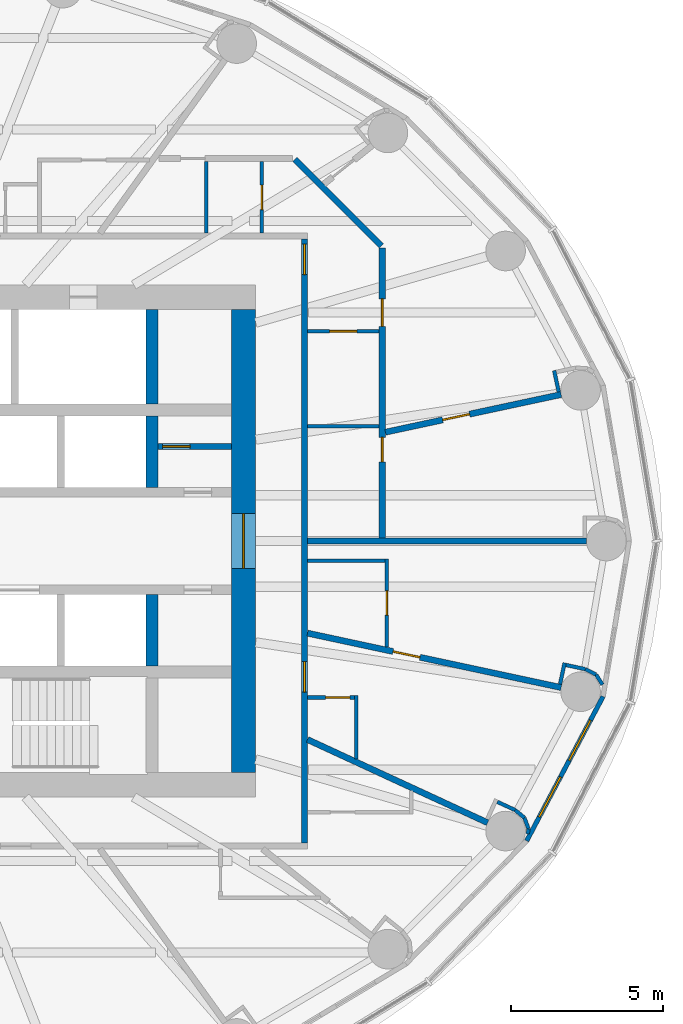
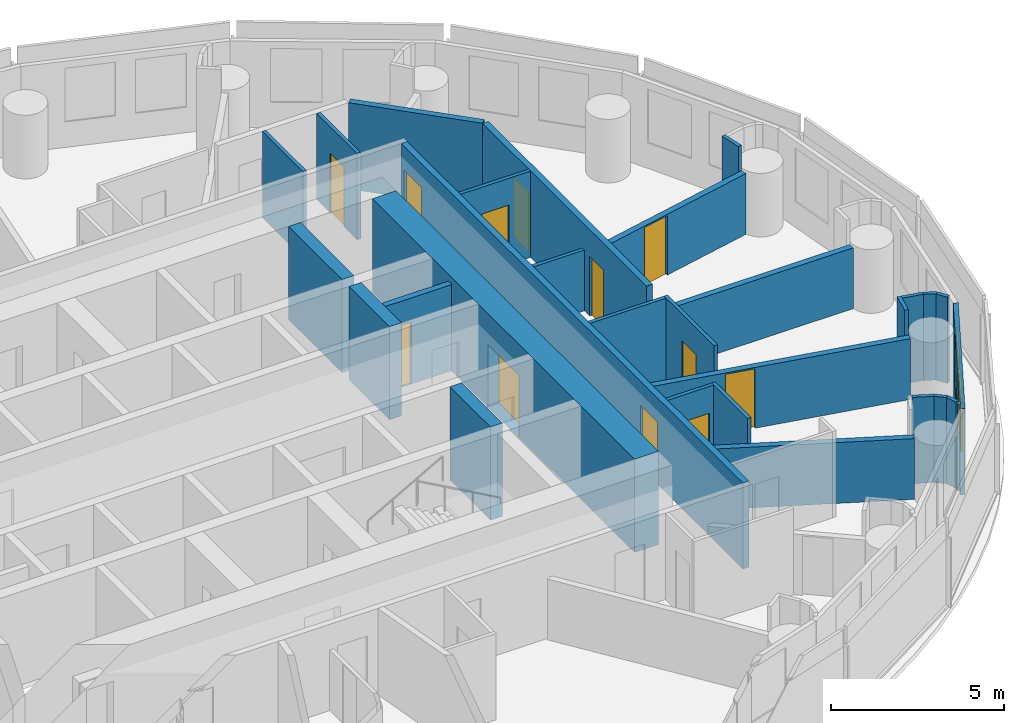
# One storey, part 10 of 14: 30 walls, 12 doors, 2 windows, 14 openings.
"""IFC4 building model written with IfcOpenShell, lengths in metres."""

from ifc_helpers import new_model, si_unit, direction, frame, frame_2d, origin, place, context, subcontext, project, spatial, rectangle, extrude, material, layer, layer_set, type_object, element, fill, save


model = new_model("IFC4")

# Units and contexts
model_context = context("Model", 3, precision=1e-05, world=origin(), true_north=direction((0.0, 1.0)))
body_context = subcontext(model_context, "Body", "Model", "MODEL_VIEW")
ifc_project = project(units=[si_unit("LENGTHUNIT", "METRE"), si_unit("AREAUNIT", "SQUARE_METRE"), si_unit("VOLUMEUNIT", "CUBIC_METRE"), si_unit("PLANEANGLEUNIT", "RADIAN"), si_unit("MASSUNIT", "GRAM", prefix="KILO")], contexts=[model_context])

# Site, building, storey
site_placement = place(None, origin())
site = spatial("IfcSite", under=ifc_project, at=site_placement, CompositionType="ELEMENT")
building_placement = place(site_placement, origin())
building = spatial("IfcBuilding", under=site, at=building_placement, Name="Hankou Lantern Tower", CompositionType="ELEMENT")
storey_placement = place(building_placement, frame((0.0, 0.0, 135.300048828125)))
storey = spatial("IfcBuildingStorey", under=building, at=storey_placement, Name="L35", CompositionType="ELEMENT", Elevation=135.300048828125)

# Wall, opening, door
ifc_material_1 = material(Name="Concrete C60", Category="concrete")
ifc_layer_1 = layer(ifc_material_1, 0.800048828125)
ifc_layer_set_1 = layer_set([ifc_layer_1], Name="Concrete C60")
wall_type_1 = type_object("IfcWallType", Name="CW2 CORE WALL 800", PredefinedType="SHEAR", material=ifc_layer_set_1)
wall_1_placement = place(storey_placement, frame((12.0, -7.60009765625, 0.0), z_axis=(0.0, 0.0, 1.0), x_axis=(0.0, 1.0, 0.0)))
wall_1 = element("IfcWall", 1, at=wall_1_placement, inside=storey, type_object=wall_type_1, Name="Core wall east L35", PredefinedType="SHEAR", context=body_context, shape_type="SweptSolid", body=[
    extrude(rectangle(XDim=15.2001953125, YDim=0.800048828125, at=frame_2d((7.60009765625, 0.0))), origin(), (0.0, 0.0, 1.0), 3.300048828125),
])
opening_1_placement = place(wall_1_placement, frame((6.699951171875, 0.0, 0.0)))
opening_1 = element("IfcOpeningElement", 2, at=opening_1_placement, cuts=wall_1, Name="Opening D6", PredefinedType="OPENING", context=body_context, shape_type="SweptSolid", body=[
    extrude(rectangle(XDim=1.800048828125, YDim=2.199951171875, at=frame_2d((0.89990234375, 1.10009765625))), frame((0.0, 0.409912109375, 0.0), z_axis=(0.0, -1.0, 0.0), x_axis=(1.0, 0.0, 0.0)), (0.0, 0.0, 1.0), 0.820068359375),
])
ifc_material_2 = material(Name="Steel door leaf", Category="steel")
door_type_1 = type_object("IfcDoorType", Name="D6 LIFT LOBBY DOOR 1800X2200", OperationType="DOUBLE_DOOR_DOUBLE_SWING", PredefinedType="DOOR", material=ifc_material_2)
door_1_placement = place(opening_1_placement, origin())
door_1 = element("IfcDoor", 3, at=door_1_placement, inside=storey, type_object=door_type_1, Name="Lift lobby east door", OperationType="DOUBLE_DOOR_DOUBLE_SWING", OverallHeight=2.199951171875, OverallWidth=1.800048828125, PredefinedType="DOOR", context=body_context, shape_type="SweptSolid", body=[
    extrude(rectangle(XDim=1.800048828125, YDim=2.199951171875, at=frame_2d((0.89990234375, 1.10009765625))), frame((0.0, 0.02490234375, 0.0), z_axis=(0.0, -1.0, 0.0), x_axis=(1.0, 0.0, 0.0)), (0.0, 0.0, 1.0), 0.050048828125),
])
fill(opening_1, door_1)

# Walls
ifc_material_3 = material(Name="Concrete C60", Category="concrete")
ifc_layer_2 = layer(ifc_material_3, 0.39990234375)
ifc_layer_set_2 = layer_set([ifc_layer_2], Name="Concrete C60")
wall_type_2 = type_object("IfcWallType", Name="CW4 CORE CROSS WALL 400", PredefinedType="SHEAR", material=ifc_layer_set_2)
wall_2_placement = place(storey_placement, frame((9.0, 4.5, 0.0), z_axis=(0.0, 0.0, 1.0), x_axis=(0.0, 1.0, 0.0)))
element("IfcWall", 4, at=wall_2_placement, inside=storey, type_object=wall_type_2, Name="Core strip wall L35", PredefinedType="SHEAR", context=body_context, shape_type="SweptSolid", body=[
    extrude(rectangle(XDim=3.10009765625, YDim=0.39990234375, at=frame_2d((1.550048828125, 0.0))), origin(), (0.0, 0.0, 1.0), 3.300048828125),
])
for number, where, z_axis, x_axis, name in (
    (5, (9.0, 1.75, 0.0), (0.0, 0.0, 1.0), (0.0, 1.0, 0.0), "Core strip wall L35"),
    (6, (9.0, -4.10009765625, 0.0), (0.0, 0.0, 1.0), (0.0, 1.0, 0.0), "Core strip wall L35"),
):
    element("IfcWall", number, at=place(storey_placement, frame(where, z_axis=z_axis, x_axis=x_axis)), inside=storey, type_object=wall_type_2, Name=name, PredefinedType="SHEAR", context=body_context, shape_type="SweptSolid", body=[
        extrude(rectangle(XDim=2.35009765625, YDim=0.39990234375, at=frame_2d((1.175048828125, 0.0))), origin(), (0.0, 0.0, 1.0), 3.300048828125),
    ])

# Wall, openings, windows
ifc_material_4 = material(Name="Aluminium spandrel panel on steel studs", Category="steel")
ifc_layer_3 = layer(ifc_material_4, 0.14990234375)
ifc_layer_set_3 = layer_set([ifc_layer_3], Name="Aluminium spandrel panel on steel studs")
wall_type_3 = type_object("IfcWallType", Name="EW1 INNER SKIN WALL 150", PredefinedType="ELEMENTEDWALL", material=ifc_layer_set_3)
wall_3_placement = place(storey_placement, frame((21.287353515625, -9.83203125, 0.0), z_axis=(0.0, 0.0, 1.0), x_axis=(0.467814388454, 0.883826735257, 0.0)))
wall_3 = element("IfcWall", 7, at=wall_3_placement, inside=storey, type_object=wall_type_3, Name="Inner skin R23-R24 L35", PredefinedType="ELEMENTEDWALL", context=body_context, shape_type="SweptSolid", body=[
    extrude(rectangle(XDim=5.35400390625, YDim=0.14990234375, at=frame_2d((2.677001953125, 0.0))), origin(), (0.0, 0.0, 1.0), 3.050048828125),
])
opening_2_placement = place(wall_3_placement, frame((0.876953125, 0.0, 0.89990234375)))
opening_2 = element("IfcOpeningElement", 8, at=opening_2_placement, cuts=wall_3, Name="Opening W2", PredefinedType="OPENING", context=body_context, shape_type="SweptSolid", body=[
    extrude(rectangle(XDim=1.5, YDim=1.89990234375, at=frame_2d((0.75, 0.949951171875))), frame((0.0, 0.0849609375, 0.0), z_axis=(0.0, -1.0, 0.0), x_axis=(1.0, 0.0, 0.0)), (0.0, 0.0, 1.0), 0.169921875),
])
opening_3_placement = place(wall_3_placement, frame((2.97705078125, 0.0, 0.89990234375)))
opening_3 = element("IfcOpeningElement", 9, at=opening_3_placement, cuts=wall_3, Name="Opening W2", PredefinedType="OPENING", context=body_context, shape_type="SweptSolid", body=[
    extrude(rectangle(XDim=1.5, YDim=1.89990234375, at=frame_2d((0.75, 0.949951171875))), frame((0.0, 0.0849609375, 0.0), z_axis=(0.0, -1.0, 0.0), x_axis=(1.0, 0.0, 0.0)), (0.0, 0.0, 1.0), 0.169921875),
])
ifc_material_5 = material(Name="Aluminium framed double glazed window", Category="aluminium")
window_type = type_object("IfcWindowType", Name="W2 GUEST ROOM WINDOW 1500X1900", PartitioningType="DOUBLE_PANEL_VERTICAL", PredefinedType="WINDOW", material=ifc_material_5)
window_1_placement = place(opening_2_placement, origin())
window_1 = element("IfcWindow", 10, at=window_1_placement, inside=storey, type_object=window_type, Name="Window R23.1 L35", OverallHeight=1.89990234375, OverallWidth=1.5, PartitioningType="SINGLE_PANEL", PredefinedType="WINDOW", context=body_context, shape_type="SweptSolid", body=[
    extrude(rectangle(XDim=1.5, YDim=1.89990234375, at=frame_2d((0.75, 0.949951171875))), frame((0.0, 0.030029296875, 0.0), z_axis=(0.0, -1.0, 0.0), x_axis=(1.0, 0.0, 0.0)), (0.0, 0.0, 1.0), 0.06005859375),
])
fill(opening_2, window_1)
window_2_placement = place(opening_3_placement, origin())
window_2 = element("IfcWindow", 11, at=window_2_placement, inside=storey, type_object=window_type, Name="Window R23.2 L35", OverallHeight=1.89990234375, OverallWidth=1.5, PartitioningType="SINGLE_PANEL", PredefinedType="WINDOW", context=body_context, shape_type="SweptSolid", body=[
    extrude(rectangle(XDim=1.5, YDim=1.89990234375, at=frame_2d((0.75, 0.949951171875))), frame((0.0, 0.030029296875, 0.0), z_axis=(0.0, -1.0, 0.0), x_axis=(1.0, 0.0, 0.0)), (0.0, 0.0, 1.0), 0.06005859375),
])
fill(opening_3, window_2)

# Walls
ifc_material_6 = material(Name="Masonry lightweight concrete block", Category="masonry")
ifc_layer_4 = layer(ifc_material_6, 0.199951171875)
ifc_layer_set_4 = layer_set([ifc_layer_4], Name="Masonry lightweight concrete block")
wall_type_4 = type_object("IfcWallType", Name="IW1 GUEST ROOM PARTY WALL 200", PredefinedType="PARTITIONING", material=ifc_layer_set_4)
wall_4_placement = place(storey_placement, frame((14.10009765625, 0.0, 0.0), z_axis=(0.0, 0.0, 1.0), x_axis=(1.0, 0.0, 0.0)))
element("IfcWall", 12, at=wall_4_placement, inside=storey, type_object=wall_type_4, Name="Party wall R01", PredefinedType="PARTITIONING", context=body_context, shape_type="SweptSolid", body=[
    extrude(rectangle(XDim=9.14990234375, YDim=0.199951171875, at=frame_2d((4.574951171875, 0.0))), origin(), (0.0, 0.0, 1.0), 2.14990234375),
])
wall_5_placement = place(storey_placement, frame((14.10009765625, -6.512451171875, 0.0), z_axis=(0.0, 0.0, 1.0), x_axis=(0.907833019998, -0.419331858797, 0.0)))
element("IfcWall", 13, at=wall_5_placement, inside=storey, type_object=wall_type_4, Name="Party wall R23", PredefinedType="PARTITIONING", context=body_context, shape_type="SweptSolid", body=[
    extrude(rectangle(XDim=6.505126953125, YDim=0.199951171875, at=frame_2d((3.25244140625, 0.0))), origin(), (0.0, 0.0, 1.0), 2.14990234375),
])

# Wall, openings, doors
ifc_material_7 = material(Name="Masonry lightweight concrete block", Category="masonry")
ifc_layer_5 = layer(ifc_material_7, 0.199951171875)
ifc_layer_set_5 = layer_set([ifc_layer_5], Name="Masonry lightweight concrete block")
wall_type_5 = type_object("IfcWallType", Name="IW2 CORRIDOR WALL 200", PredefinedType="PARTITIONING", material=ifc_layer_set_5)
wall_6_placement = place(storey_placement, frame((14.0, -9.89990234375, 0.0), z_axis=(0.0, 0.0, 1.0), x_axis=(0.0, 1.0, 0.0)))
wall_6 = element("IfcWall", 14, at=wall_6_placement, inside=storey, type_object=wall_type_5, Name="Corridor wall east", PredefinedType="PARTITIONING", context=body_context, shape_type="SweptSolid", body=[
    extrude(rectangle(XDim=19.7998046875, YDim=0.199951171875, at=frame_2d((9.89990234375, 0.0))), origin(), (0.0, 0.0, 1.0), 3.050048828125),
])
opening_4_placement = place(wall_6_placement, frame((4.947509765625, 0.0, 0.0)))
opening_4 = element("IfcOpeningElement", 15, at=opening_4_placement, cuts=wall_6, Name="Opening D2", PredefinedType="OPENING", context=body_context, shape_type="SweptSolid", body=[
    extrude(rectangle(XDim=1.0, YDim=2.199951171875, at=frame_2d((0.5, 1.10009765625))), frame((0.0, 0.10986328125, 0.0), z_axis=(0.0, -1.0, 0.0), x_axis=(1.0, 0.0, 0.0)), (0.0, 0.0, 1.0), 0.219970703125),
])
opening_5_placement = place(wall_6_placement, frame((18.64111328125, 0.0, 0.0)))
opening_5 = element("IfcOpeningElement", 16, at=opening_5_placement, cuts=wall_6, Name="Opening D2", PredefinedType="OPENING", context=body_context, shape_type="SweptSolid", body=[
    extrude(rectangle(XDim=1.0, YDim=2.199951171875, at=frame_2d((0.5, 1.10009765625))), frame((0.0, 0.10986328125, 0.0), z_axis=(0.0, -1.0, 0.0), x_axis=(1.0, 0.0, 0.0)), (0.0, 0.0, 1.0), 0.219970703125),
])
ifc_material_8 = material(Name="Steel door leaf", Category="steel")
door_type_2 = type_object("IfcDoorType", Name="D2 SUITE DOOR 1000X2200", OperationType="SINGLE_SWING_LEFT", PredefinedType="DOOR", material=ifc_material_8)
door_2_placement = place(opening_4_placement, origin())
door_2 = element("IfcDoor", 17, at=door_2_placement, inside=storey, type_object=door_type_2, Name="Suite door 3511C", OperationType="SINGLE_SWING_LEFT", OverallHeight=2.199951171875, OverallWidth=1.0, PredefinedType="DOOR", context=body_context, shape_type="SweptSolid", body=[
    extrude(rectangle(XDim=1.0, YDim=2.199951171875, at=frame_2d((0.5, 1.10009765625))), frame((0.0, 0.02490234375, 0.0), z_axis=(0.0, -1.0, 0.0), x_axis=(1.0, 0.0, 0.0)), (0.0, 0.0, 1.0), 0.050048828125),
])
fill(opening_4, door_2)
door_3_placement = place(opening_5_placement, origin())
door_3 = element("IfcDoor", 18, at=door_3_placement, inside=storey, type_object=door_type_2, Name="Suite door 3512", OperationType="SINGLE_SWING_RIGHT", OverallHeight=2.199951171875, OverallWidth=1.0, PredefinedType="DOOR", context=body_context, shape_type="SweptSolid", body=[
    extrude(rectangle(XDim=1.0, YDim=2.199951171875, at=frame_2d((0.5, 1.10009765625))), frame((0.0, 0.02490234375, 0.0), z_axis=(0.0, -1.0, 0.0), x_axis=(1.0, 0.0, 0.0)), (0.0, 0.0, 1.0), 0.050048828125),
])
fill(opening_5, door_3)

# Wall
ifc_material_9 = material(Name="Masonry lightweight concrete block", Category="masonry")
ifc_layer_6 = layer(ifc_material_9, 0.1201171875)
ifc_layer_set_6 = layer_set([ifc_layer_6], Name="Masonry lightweight concrete block")
wall_type_6 = type_object("IfcWallType", Name="IW3 BATHROOM WALL 120", PredefinedType="PARTITIONING", material=ifc_layer_set_6)
wall_7_placement = place(storey_placement, frame((15.699951171875, -7.151611328125, 0.0), z_axis=(0.0, 0.0, 1.0), x_axis=(0.0, 1.0, 0.0)))
element("IfcWall", 19, at=wall_7_placement, inside=storey, type_object=wall_type_6, Name="Box wall 3511C 1", PredefinedType="PARTITIONING", context=body_context, shape_type="SweptSolid", body=[
    extrude(rectangle(XDim=2.0791015625, YDim=0.1201171875, at=frame_2d((1.03955078125, 0.0))), origin(), (0.0, 0.0, 1.0), 3.050048828125),
])

# Wall, opening, door
wall_8_placement = place(storey_placement, frame((14.10009765625, -5.132568359375, 0.0), z_axis=(0.0, 0.0, 1.0), x_axis=(1.0, 0.0, 0.0)))
wall_8 = element("IfcWall", 20, at=wall_8_placement, inside=storey, type_object=wall_type_6, Name="Box wall 3511C 1", PredefinedType="PARTITIONING", context=body_context, shape_type="SweptSolid", body=[
    extrude(rectangle(XDim=1.539794921875, YDim=0.1201171875, at=frame_2d((0.77001953125, 0.0))), origin(), (0.0, 0.0, 1.0), 3.050048828125),
])
opening_6_placement = place(wall_8_placement, frame((0.590087890625, 0.0, 0.0)))
opening_6 = element("IfcOpeningElement", 21, at=opening_6_placement, cuts=wall_8, Name="Opening D3", PredefinedType="OPENING", context=body_context, shape_type="SweptSolid", body=[
    extrude(rectangle(XDim=0.800048828125, YDim=2.10009765625, at=frame_2d((0.39990234375, 1.050048828125))), frame((0.0, 0.070068359375, 0.0), z_axis=(0.0, -1.0, 0.0), x_axis=(1.0, 0.0, 0.0)), (0.0, 0.0, 1.0), 0.14013671875),
])
ifc_material_10 = material(Name="Timber door leaf", Category="wood")
door_type_3 = type_object("IfcDoorType", Name="D3 BATHROOM DOOR 800X2100", OperationType="SINGLE_SWING_LEFT", PredefinedType="DOOR", material=ifc_material_10)
door_4_placement = place(opening_6_placement, origin())
door_4 = element("IfcDoor", 22, at=door_4_placement, inside=storey, type_object=door_type_3, Name="Suite 3511 guest WC door", OperationType="SINGLE_SWING_LEFT", OverallHeight=2.10009765625, OverallWidth=0.800048828125, PredefinedType="DOOR", context=body_context, shape_type="SweptSolid", body=[
    extrude(rectangle(XDim=0.800048828125, YDim=2.10009765625, at=frame_2d((0.39990234375, 1.050048828125))), frame((0.0, 0.02490234375, 0.0), z_axis=(0.0, -1.0, 0.0), x_axis=(1.0, 0.0, 0.0)), (0.0, 0.0, 1.0), 0.050048828125),
])
fill(opening_6, door_4)

wall_9_placement = place(storey_placement, frame((16.699951171875, -3.479736328125, 0.0), z_axis=(0.0, 0.0, 1.0), x_axis=(0.0, 1.0, 0.0)))
wall_9 = element("IfcWall", 23, at=wall_9_placement, inside=storey, type_object=wall_type_6, Name="Box wall 3511A 1", PredefinedType="PARTITIONING", context=body_context, shape_type="SweptSolid", body=[
    extrude(rectangle(XDim=2.897216796875, YDim=0.1201171875, at=frame_2d((1.44873046875, 0.0))), origin(), (0.0, 0.0, 1.0), 3.050048828125),
])
opening_7_placement = place(wall_9_placement, frame((1.048583984375, 0.0, 0.0)))
opening_7 = element("IfcOpeningElement", 24, at=opening_7_placement, cuts=wall_9, Name="Opening D3", PredefinedType="OPENING", context=body_context, shape_type="SweptSolid", body=[
    extrude(rectangle(XDim=0.800048828125, YDim=2.10009765625, at=frame_2d((0.39990234375, 1.050048828125))), frame((0.0, 0.070068359375, 0.0), z_axis=(0.0, -1.0, 0.0), x_axis=(1.0, 0.0, 0.0)), (0.0, 0.0, 1.0), 0.14013671875),
])
door_5_placement = place(opening_7_placement, origin())
door_5 = element("IfcDoor", 25, at=door_5_placement, inside=storey, type_object=door_type_3, Name="Suite 3511 bathroom door", OperationType="SINGLE_SWING_LEFT", OverallHeight=2.10009765625, OverallWidth=0.800048828125, PredefinedType="DOOR", context=body_context, shape_type="SweptSolid", body=[
    extrude(rectangle(XDim=0.800048828125, YDim=2.10009765625, at=frame_2d((0.39990234375, 1.050048828125))), frame((0.0, 0.02490234375, 0.0), z_axis=(0.0, -1.0, 0.0), x_axis=(1.0, 0.0, 0.0)), (0.0, 0.0, 1.0), 0.050048828125),
])
fill(opening_7, door_5)

# Walls
wall_10_placement = place(storey_placement, frame((14.10009765625, -0.642578125, 0.0), z_axis=(0.0, 0.0, 1.0), x_axis=(1.0, 0.0, 0.0)))
element("IfcWall", 26, at=wall_10_placement, inside=storey, type_object=wall_type_6, Name="Box wall 3511A 1", PredefinedType="PARTITIONING", context=body_context, shape_type="SweptSolid", body=[
    extrude(rectangle(XDim=2.539794921875, YDim=0.1201171875, at=frame_2d((1.27001953125, 0.0))), origin(), (0.0, 0.0, 1.0), 3.050048828125),
])
wall_11_placement = place(storey_placement, frame((14.10009765625, 3.760986328125, 0.0), z_axis=(0.0, 0.0, 1.0), x_axis=(1.0, 0.0, 0.0)))
element("IfcWall", 27, at=wall_11_placement, inside=storey, type_object=wall_type_6, Name="Box wall 3512 1", PredefinedType="PARTITIONING", context=body_context, shape_type="SweptSolid", body=[
    extrude(rectangle(XDim=2.349853515625, YDim=0.1201171875, at=frame_2d((1.1748046875, 0.0))), origin(), (0.0, 0.0, 1.0), 2.14990234375),
])

# Wall, opening, door
wall_12_placement = place(storey_placement, frame((14.10009765625, 6.881103515625, 0.0), z_axis=(0.0, 0.0, 1.0), x_axis=(1.0, 0.0, 0.0)))
wall_12 = element("IfcWall", 28, at=wall_12_placement, inside=storey, type_object=wall_type_6, Name="Box wall 3512 2", PredefinedType="PARTITIONING", context=body_context, shape_type="SweptSolid", body=[
    extrude(rectangle(XDim=2.349853515625, YDim=0.1201171875, at=frame_2d((1.1748046875, 0.0))), origin(), (0.0, 0.0, 1.0), 3.050048828125),
])
opening_8_placement = place(wall_12_placement, frame((0.719970703125, 0.0, 0.0)))
opening_8 = element("IfcOpeningElement", 29, at=opening_8_placement, cuts=wall_12, Name="Opening D27", PredefinedType="OPENING", context=body_context, shape_type="SweptSolid", body=[
    extrude(rectangle(XDim=0.89990234375, YDim=2.10009765625, at=frame_2d((0.449951171875, 1.050048828125))), frame((0.0, 0.070068359375, 0.0), z_axis=(0.0, -1.0, 0.0), x_axis=(1.0, 0.0, 0.0)), (0.0, 0.0, 1.0), 0.14013671875),
])
ifc_material_11 = material(Name="Timber door leaf", Category="wood")
door_type_4 = type_object("IfcDoorType", Name="D27 INTERNAL DOOR 900X2100", OperationType="SINGLE_SWING_LEFT", PredefinedType="DOOR", material=ifc_material_11)
door_6_placement = place(opening_8_placement, origin())
door_6 = element("IfcDoor", 30, at=door_6_placement, inside=storey, type_object=door_type_4, Name="Family suite 3512 walk-in wardrobe door", OperationType="SINGLE_SWING_LEFT", OverallHeight=2.10009765625, OverallWidth=0.89990234375, PredefinedType="DOOR", context=body_context, shape_type="SweptSolid", body=[
    extrude(rectangle(XDim=0.89990234375, YDim=2.10009765625, at=frame_2d((0.449951171875, 1.050048828125))), frame((0.0, 0.02490234375, 0.0), z_axis=(0.0, -1.0, 0.0), x_axis=(1.0, 0.0, 0.0)), (0.0, 0.0, 1.0), 0.050048828125),
])
fill(opening_8, door_6)

wall_13_placement = place(storey_placement, frame((12.59912109375, 10.10009765625, 0.0), z_axis=(0.0, 0.0, 1.0), x_axis=(0.0, 1.0, 0.0)))
wall_13 = element("IfcWall", 31, at=wall_13_placement, inside=storey, type_object=wall_type_6, Name="Box wall 3512 3", PredefinedType="PARTITIONING", context=body_context, shape_type="SweptSolid", body=[
    extrude(rectangle(XDim=2.349853515625, YDim=0.1201171875, at=frame_2d((1.1748046875, 0.0))), origin(), (0.0, 0.0, 1.0), 3.050048828125),
])
opening_9_placement = place(wall_13_placement, frame((0.77001953125, 0.0, 0.0)))
opening_9 = element("IfcOpeningElement", 32, at=opening_9_placement, cuts=wall_13, Name="Opening D3", PredefinedType="OPENING", context=body_context, shape_type="SweptSolid", body=[
    extrude(rectangle(XDim=0.800048828125, YDim=2.10009765625, at=frame_2d((0.39990234375, 1.050048828125))), frame((0.0, 0.070068359375, 0.0), z_axis=(0.0, -1.0, 0.0), x_axis=(1.0, 0.0, 0.0)), (0.0, 0.0, 1.0), 0.14013671875),
])
door_7_placement = place(opening_9_placement, origin())
door_7 = element("IfcDoor", 33, at=door_7_placement, inside=storey, type_object=door_type_3, Name="Family suite 3512 guest WC door", OperationType="SINGLE_SWING_LEFT", OverallHeight=2.10009765625, OverallWidth=0.800048828125, PredefinedType="DOOR", context=body_context, shape_type="SweptSolid", body=[
    extrude(rectangle(XDim=0.800048828125, YDim=2.10009765625, at=frame_2d((0.39990234375, 1.050048828125))), frame((0.0, 0.02490234375, 0.0), z_axis=(0.0, -1.0, 0.0), x_axis=(1.0, 0.0, 0.0)), (0.0, 0.0, 1.0), 0.050048828125),
])
fill(opening_9, door_7)

# Walls
wall_14_placement = place(storey_placement, frame((10.780517578125, 10.10009765625, 0.0), z_axis=(0.0, 0.0, 1.0), x_axis=(0.0, 1.0, 0.0)))
element("IfcWall", 34, at=wall_14_placement, inside=storey, type_object=wall_type_6, Name="Box wall 3512 4", PredefinedType="PARTITIONING", context=body_context, shape_type="SweptSolid", body=[
    extrude(rectangle(XDim=2.349853515625, YDim=0.1201171875, at=frame_2d((1.1748046875, 0.0))), origin(), (0.0, 0.0, 1.0), 3.050048828125),
])
ifc_material_12 = material(Name="Masonry lightweight concrete block", Category="masonry")
ifc_layer_7 = layer(ifc_material_12, 0.1201171875)
ifc_layer_set_7 = layer_set([ifc_layer_7], Name="Masonry lightweight concrete block")
wall_type_7 = type_object("IfcWallType", Name="IW4 PARTITION 120", PredefinedType="PARTITIONING", material=ifc_layer_set_7)
wall_15_placement = place(storey_placement, frame((22.339599609375, 4.89111328125, 0.0), z_axis=(0.0, 0.0, 1.0), x_axis=(-0.20948248875, 0.977812398626, 0.0)))
element("IfcWall", 35, at=wall_15_placement, inside=storey, type_object=wall_type_7, Name="Column casing R02 return", PredefinedType="PARTITIONING", context=body_context, shape_type="SweptSolid", body=[
    extrude(rectangle(XDim=0.715576171875, YDim=0.1201171875, at=frame_2d((0.35791015625, 0.0))), origin(), (0.0, 0.0, 1.0), 3.050048828125),
])
wall_16_placement = place(storey_placement, frame((20.322509765625, -8.553955078125, 0.0), z_axis=(0.0, 0.0, 1.0), x_axis=(0.907750418698, -0.419510640333, 0.0)))
element("IfcWall", 36, at=wall_16_placement, inside=storey, type_object=wall_type_7, Name="Column casing R23", PredefinedType="PARTITIONING", context=body_context, shape_type="SweptSolid", body=[
    extrude(rectangle(XDim=0.650146484375, YDim=0.1201171875, at=frame_2d((0.3251953125, 0.0))), origin(), (0.0, 0.0, 1.0), 3.050048828125),
])
wall_17_placement = place(storey_placement, frame((20.91259765625, -8.82666015625, 0.0), z_axis=(0.0, 0.0, 1.0), x_axis=(0.76847706684, -0.639877330229, 0.0)))
element("IfcWall", 37, at=wall_17_placement, inside=storey, type_object=wall_type_7, Name="Column casing R23", PredefinedType="PARTITIONING", context=body_context, shape_type="SweptSolid", body=[
    extrude(rectangle(XDim=0.39111328125, YDim=0.1201171875, at=frame_2d((0.195556640625, 0.0))), origin(), (0.0, 0.0, 1.0), 3.050048828125),
])
wall_18_placement = place(storey_placement, frame((21.213134765625, -9.076904296875, 0.0), z_axis=(0.0, 0.0, 1.0), x_axis=(0.345647532133, -0.938364419365, 0.0)))
element("IfcWall", 38, at=wall_18_placement, inside=storey, type_object=wall_type_7, Name="Column casing R23", PredefinedType="PARTITIONING", context=body_context, shape_type="SweptSolid", body=[
    extrude(rectangle(XDim=0.391357421875, YDim=0.1201171875, at=frame_2d((0.19580078125, 0.0))), origin(), (0.0, 0.0, 1.0), 3.050048828125),
])
wall_19_placement = place(storey_placement, frame((21.348388671875, -9.444091796875, 0.0), z_axis=(0.0, 0.0, 1.0), x_axis=(-0.170349493321, -0.985383707053, 0.0)))
element("IfcWall", 39, at=wall_19_placement, inside=storey, type_object=wall_type_7, Name="Column casing R23", PredefinedType="PARTITIONING", context=body_context, shape_type="SweptSolid", body=[
    extrude(rectangle(XDim=0.166259765625, YDim=0.1201171875, at=frame_2d((0.0830078125, 0.0))), origin(), (0.0, 0.0, 1.0), 3.050048828125),
])
wall_20_placement = place(storey_placement, frame((22.381591796875, -4.6953125, 0.0), z_axis=(0.0, 0.0, 1.0), x_axis=(0.209808658628, 0.977742464438, 0.0)))
element("IfcWall", 40, at=wall_20_placement, inside=storey, type_object=wall_type_7, Name="Column casing R24 return", PredefinedType="PARTITIONING", context=body_context, shape_type="SweptSolid", body=[
    extrude(rectangle(XDim=0.715576171875, YDim=0.1201171875, at=frame_2d((0.35791015625, 0.0))), origin(), (0.0, 0.0, 1.0), 3.050048828125),
])
wall_21_placement = place(storey_placement, frame((22.57763671875, -4.06689453125, 0.0), z_axis=(0.0, 0.0, 1.0), x_axis=(0.977802414077, -0.209529088731, 0.0)))
element("IfcWall", 41, at=wall_21_placement, inside=storey, type_object=wall_type_7, Name="Column casing R24", PredefinedType="PARTITIONING", context=body_context, shape_type="SweptSolid", body=[
    extrude(rectangle(XDim=0.650146484375, YDim=0.1201171875, at=frame_2d((0.3251953125, 0.0))), origin(), (0.0, 0.0, 1.0), 3.050048828125),
])
for number, where, z_axis, x_axis, name in (
    (42, (23.21337890625, -4.203125, 0.0), (0.0, 0.0, 1.0), (0.890142184171, -0.455682885305, 0.0), "Column casing R24"),
    (43, (23.5615234375, -4.38134765625, 0.0), (0.0, 0.0, 1.0), (0.543121848217, -0.839653891784, 0.0), "Column casing R24"),
):
    element("IfcWall", number, at=place(storey_placement, frame(where, z_axis=z_axis, x_axis=x_axis)), inside=storey, type_object=wall_type_7, Name=name, PredefinedType="PARTITIONING", context=body_context, shape_type="SweptSolid", body=[
        extrude(rectangle(XDim=0.39111328125, YDim=0.1201171875, at=frame_2d((0.195556640625, 0.0))), origin(), (0.0, 0.0, 1.0), 3.050048828125),
    ])

# Wall, opening, door
ifc_material_13 = material(Name="Masonry lightweight concrete block", Category="masonry")
ifc_layer_8 = layer(ifc_material_13, 0.199951171875)
ifc_layer_set_8 = layer_set([ifc_layer_8], Name="Masonry lightweight concrete block")
wall_type_8 = type_object("IfcWallType", Name="IW6 SUITE PARTITION 200", PredefinedType="PARTITIONING", material=ifc_layer_set_8)
wall_22_placement = place(storey_placement, frame((14.10009765625, -3.0224609375, 0.0), z_axis=(0.0, 0.0, 1.0), x_axis=(0.977783513367, -0.209617272638, 0.0)))
wall_22 = element("IfcWall", 44, at=wall_22_placement, inside=storey, type_object=wall_type_8, Name="Suite partition R24", PredefinedType="PARTITIONING", context=body_context, shape_type="SweptSolid", body=[
    extrude(rectangle(XDim=8.508056640625, YDim=0.199951171875, at=frame_2d((4.25390625, 0.0))), origin(), (0.0, 0.0, 1.0), 2.14990234375),
])
opening_10_placement = place(wall_22_placement, frame((2.8701171875, 0.0, 0.0)))
opening_10 = element("IfcOpeningElement", 45, at=opening_10_placement, cuts=wall_22, Name="Opening D27", PredefinedType="OPENING", context=body_context, shape_type="SweptSolid", body=[
    extrude(rectangle(XDim=0.89990234375, YDim=2.10009765625, at=frame_2d((0.449951171875, 1.050048828125))), frame((0.0, 0.10986328125, 0.0), z_axis=(0.0, -1.0, 0.0), x_axis=(1.0, 0.0, 0.0)), (0.0, 0.0, 1.0), 0.219970703125),
])
door_8_placement = place(opening_10_placement, origin())
door_8 = element("IfcDoor", 46, at=door_8_placement, inside=storey, type_object=door_type_4, Name="Suite 3511 bedroom door", OperationType="SINGLE_SWING_LEFT", OverallHeight=2.10009765625, OverallWidth=0.89990234375, PredefinedType="DOOR", context=body_context, shape_type="SweptSolid", body=[
    extrude(rectangle(XDim=0.89990234375, YDim=2.10009765625, at=frame_2d((0.449951171875, 1.050048828125))), frame((0.0, 0.02490234375, 0.0), z_axis=(0.0, -1.0, 0.0), x_axis=(1.0, 0.0, 0.0)), (0.0, 0.0, 1.0), 0.050048828125),
])
fill(opening_10, door_8)

# Wall, openings, doors
wall_23_placement = place(storey_placement, frame((16.550048828125, 0.10107421875, 0.0), z_axis=(0.0, 0.0, 1.0), x_axis=(0.0, 1.0, 0.0)))
wall_23 = element("IfcWall", 47, at=wall_23_placement, inside=storey, type_object=wall_type_8, Name="Suite foyer wall 3512", PredefinedType="PARTITIONING", context=body_context, shape_type="SweptSolid", body=[
    extrude(rectangle(XDim=9.507568359375, YDim=0.199951171875, at=frame_2d((4.75390625, 0.0))), origin(), (0.0, 0.0, 1.0), 3.050048828125),
])
opening_11_placement = place(wall_23_placement, frame((2.49853515625, 0.0, 0.0)))
opening_11 = element("IfcOpeningElement", 48, at=opening_11_placement, cuts=wall_23, Name="Opening D3", PredefinedType="OPENING", context=body_context, shape_type="SweptSolid", body=[
    extrude(rectangle(XDim=0.800048828125, YDim=2.10009765625, at=frame_2d((0.39990234375, 1.050048828125))), frame((0.0, 0.10986328125, 0.0), z_axis=(0.0, -1.0, 0.0), x_axis=(1.0, 0.0, 0.0)), (0.0, 0.0, 1.0), 0.219970703125),
])
opening_12_placement = place(wall_23_placement, frame((6.93994140625, 0.0, 0.0)))
opening_12 = element("IfcOpeningElement", 49, at=opening_12_placement, cuts=wall_23, Name="Opening D27", PredefinedType="OPENING", context=body_context, shape_type="SweptSolid", body=[
    extrude(rectangle(XDim=0.89990234375, YDim=2.10009765625, at=frame_2d((0.449951171875, 1.050048828125))), frame((0.0, 0.10986328125, 0.0), z_axis=(0.0, -1.0, 0.0), x_axis=(1.0, 0.0, 0.0)), (0.0, 0.0, 1.0), 0.219970703125),
])
door_9_placement = place(opening_12_placement, origin())
door_9 = element("IfcDoor", 50, at=door_9_placement, inside=storey, type_object=door_type_4, Name="Family suite 3512 living room door", OperationType="SINGLE_SWING_LEFT", OverallHeight=2.10009765625, OverallWidth=0.89990234375, PredefinedType="DOOR", context=body_context, shape_type="SweptSolid", body=[
    extrude(rectangle(XDim=0.89990234375, YDim=2.10009765625, at=frame_2d((0.449951171875, 1.050048828125))), frame((0.0, 0.02490234375, 0.0), z_axis=(0.0, -1.0, 0.0), x_axis=(1.0, 0.0, 0.0)), (0.0, 0.0, 1.0), 0.050048828125),
])
fill(opening_12, door_9)
door_10_placement = place(opening_11_placement, origin())
door_10 = element("IfcDoor", 51, at=door_10_placement, inside=storey, type_object=door_type_3, Name="Family suite 3512 bathroom door", OperationType="SINGLE_SWING_RIGHT", OverallHeight=2.10009765625, OverallWidth=0.800048828125, PredefinedType="DOOR", context=body_context, shape_type="SweptSolid", body=[
    extrude(rectangle(XDim=0.800048828125, YDim=2.10009765625, at=frame_2d((0.39990234375, 1.050048828125))), frame((0.0, 0.02490234375, 0.0), z_axis=(0.0, -1.0, 0.0), x_axis=(1.0, 0.0, 0.0)), (0.0, 0.0, 1.0), 0.050048828125),
])
fill(opening_11, door_10)

# Wall
wall_24_placement = place(storey_placement, frame((16.520751953125, 9.67919921875, 0.0), z_axis=(0.0, 0.0, 1.0), x_axis=(-0.707106781187, 0.707106781187, 0.0)))
element("IfcWall", 52, at=wall_24_placement, inside=storey, type_object=wall_type_8, Name="Suite foyer wall 3512", PredefinedType="PARTITIONING", context=body_context, shape_type="SweptSolid", body=[
    extrude(rectangle(XDim=4.0185546875, YDim=0.199951171875, at=frame_2d((2.00927734375, 0.0))), origin(), (0.0, 0.0, 1.0), 3.050048828125),
])

# Wall, opening, door
wall_25_placement = place(storey_placement, frame((16.65478515625, 3.570068359375, 0.0), z_axis=(0.0, 0.0, 1.0), x_axis=(0.977781197989, 0.209628072687, 0.0)))
wall_25 = element("IfcWall", 53, at=wall_25_placement, inside=storey, type_object=wall_type_8, Name="Suite partition R02", PredefinedType="PARTITIONING", context=body_context, shape_type="SweptSolid", body=[
    extrude(rectangle(XDim=5.8955078125, YDim=0.199951171875, at=frame_2d((2.94775390625, 0.0))), origin(), (0.0, 0.0, 1.0), 2.14990234375),
])
opening_13_placement = place(wall_25_placement, frame((1.919921875, 0.0, 0.0)))
opening_13 = element("IfcOpeningElement", 54, at=opening_13_placement, cuts=wall_25, Name="Opening D27", PredefinedType="OPENING", context=body_context, shape_type="SweptSolid", body=[
    extrude(rectangle(XDim=0.89990234375, YDim=2.10009765625, at=frame_2d((0.449951171875, 1.050048828125))), frame((0.0, 0.10986328125, 0.0), z_axis=(0.0, -1.0, 0.0), x_axis=(1.0, 0.0, 0.0)), (0.0, 0.0, 1.0), 0.219970703125),
])
door_11_placement = place(opening_13_placement, origin())
door_11 = element("IfcDoor", 55, at=door_11_placement, inside=storey, type_object=door_type_4, Name="Family suite 3512 bedroom door", OperationType="SINGLE_SWING_LEFT", OverallHeight=2.10009765625, OverallWidth=0.89990234375, PredefinedType="DOOR", context=body_context, shape_type="SweptSolid", body=[
    extrude(rectangle(XDim=0.89990234375, YDim=2.10009765625, at=frame_2d((0.449951171875, 1.050048828125))), frame((0.0, 0.02490234375, 0.0), z_axis=(0.0, -1.0, 0.0), x_axis=(1.0, 0.0, 0.0)), (0.0, 0.0, 1.0), 0.050048828125),
])
fill(opening_13, door_11)

ifc_material_14 = material(Name="Masonry lightweight concrete block", Category="masonry")
ifc_layer_9 = layer(ifc_material_14, 0.199951171875)
ifc_layer_set_9 = layer_set([ifc_layer_9], Name="Masonry lightweight concrete block")
wall_type_9 = type_object("IfcWallType", Name="IW8 PARTITION 200", PredefinedType="PARTITIONING", material=ifc_layer_set_9)
wall_26_placement = place(storey_placement, frame((9.199951171875, 3.10009765625, 0.0), z_axis=(0.0, 0.0, 1.0), x_axis=(1.0, 0.0, 0.0)))
wall_26 = element("IfcWall", 56, at=wall_26_placement, inside=storey, type_object=wall_type_9, Name="Partition staff locker room", PredefinedType="PARTITIONING", context=body_context, shape_type="SweptSolid", body=[
    extrude(rectangle(XDim=2.400146484375, YDim=0.199951171875, at=frame_2d((1.2001953125, 0.0))), origin(), (0.0, 0.0, 1.0), 3.050048828125),
])
opening_14_placement = place(wall_26_placement, frame((0.14990234375, 0.0, 0.0)))
opening_14 = element("IfcOpeningElement", 57, at=opening_14_placement, cuts=wall_26, Name="Opening D12", PredefinedType="OPENING", context=body_context, shape_type="SweptSolid", body=[
    extrude(rectangle(XDim=0.89990234375, YDim=2.199951171875, at=frame_2d((0.449951171875, 1.10009765625))), frame((0.0, 0.10986328125, 0.0), z_axis=(0.0, -1.0, 0.0), x_axis=(1.0, 0.0, 0.0)), (0.0, 0.0, 1.0), 0.219970703125),
])
ifc_material_15 = material(Name="Steel door leaf", Category="steel")
door_type_5 = type_object("IfcDoorType", Name="D12 STORE DOOR 900X2200", OperationType="SINGLE_SWING_LEFT", PredefinedType="DOOR", material=ifc_material_15)
door_12_placement = place(opening_14_placement, origin())
door_12 = element("IfcDoor", 58, at=door_12_placement, inside=storey, type_object=door_type_5, Name="Uniform cupboard door", OperationType="SINGLE_SWING_LEFT", OverallHeight=2.199951171875, OverallWidth=0.89990234375, PredefinedType="DOOR", context=body_context, shape_type="SweptSolid", body=[
    extrude(rectangle(XDim=0.89990234375, YDim=2.199951171875, at=frame_2d((0.449951171875, 1.10009765625))), frame((0.0, 0.02490234375, 0.0), z_axis=(0.0, -1.0, 0.0), x_axis=(1.0, 0.0, 0.0)), (0.0, 0.0, 1.0), 0.050048828125),
])
fill(opening_14, door_12)

save(model, "model.ifc")
